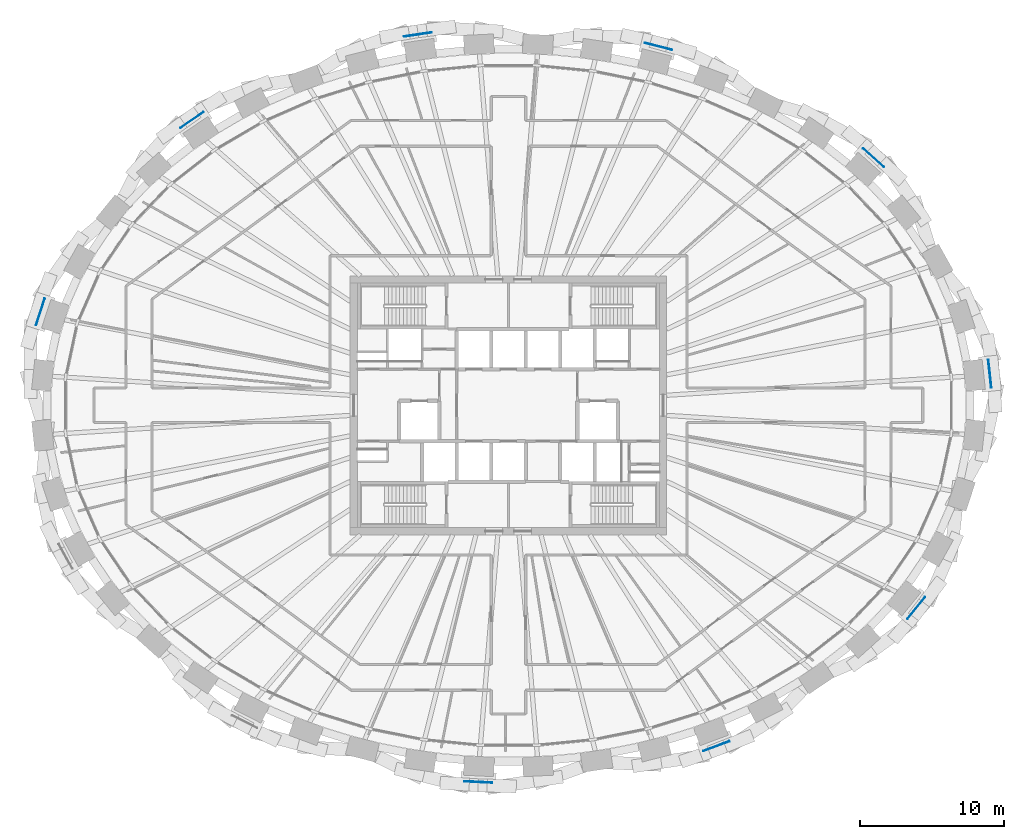
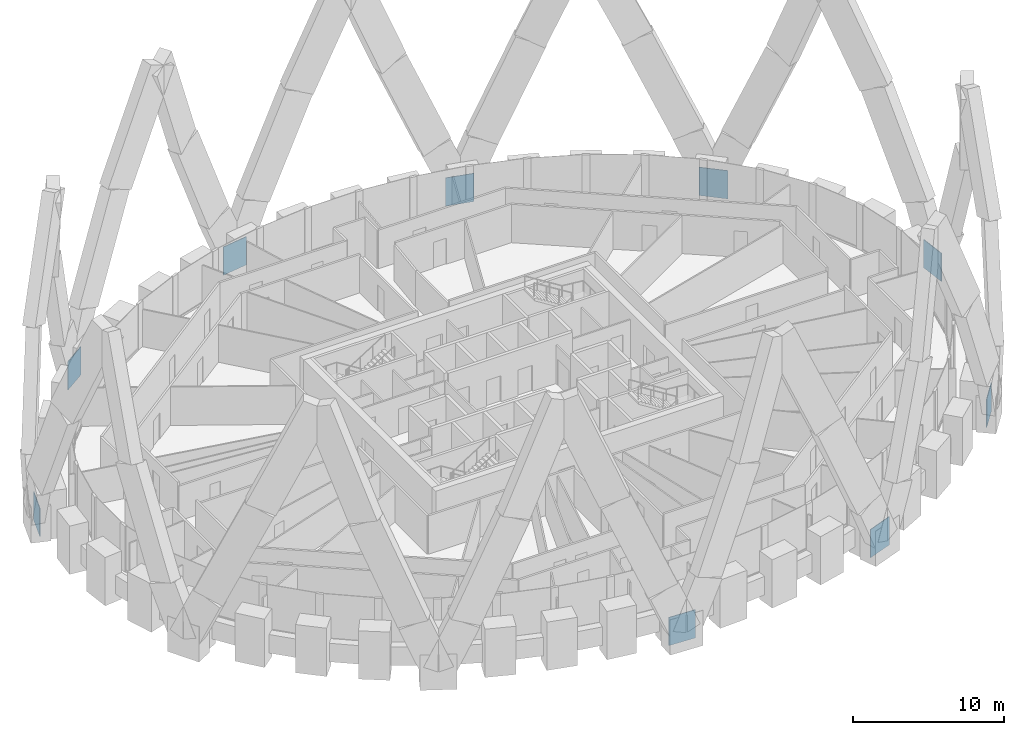
# One storey, part 14 of 15: 9 discrete accessories.
"""IFC4 building model written with IfcOpenShell, lengths in metres."""

from ifc_helpers import new_model, si_unit, direction, frame, origin, origin_2d, place, context, subcontext, project, spatial, rectangle, extrude, source, transform, mapped, material, type_object, element, save


model = new_model("IFC4")

# Units and contexts
model_context = context("Model", 3, precision=1e-05, world=origin(), true_north=direction((0.0, 1.0)))
body_context = subcontext(model_context, "Body", "Model", "MODEL_VIEW")
ifc_project = project(units=[si_unit("LENGTHUNIT", "METRE"), si_unit("AREAUNIT", "SQUARE_METRE"), si_unit("VOLUMEUNIT", "CUBIC_METRE"), si_unit("PLANEANGLEUNIT", "RADIAN"), si_unit("MASSUNIT", "GRAM", prefix="KILO")], contexts=[model_context])

# Site, building, storey
site_placement = place(None, origin())
site = spatial("IfcSite", under=ifc_project, at=site_placement, CompositionType="ELEMENT")
building_placement = place(site_placement, origin())
building = spatial("IfcBuilding", under=site, at=building_placement, Name="Embergate Tower", CompositionType="ELEMENT")
storey_placement = place(building_placement, frame((0.0, 0.0, 277.300048828125)))
storey = spatial("IfcBuildingStorey", under=building, at=storey_placement, Name="L64", CompositionType="ELEMENT", Elevation=277.300048828125)

# Discrete accessories
ifc_material = material(Name="Steel Q355D plate", Category="steel")
discrete_accessory_type = type_object("IfcDiscreteAccessoryType", Name="Lattice node plate", PredefinedType="USERDEFINED", material=ifc_material)
shared_shape = source(origin(), body_context, "Body", "SweptSolid", [
    extrude(rectangle(XDim=1.9599609375, YDim=0.050048828125, at=origin_2d()), origin(), (0.0, 0.0, 1.0), 2.280029296875),
])
for number, where, z_axis, x_axis, name in (
    (1, (33.4541015625, 2.201904296875, -1.14013671875), (0.0, 0.0, 1.0), (-0.106749983816, 0.99428589498, 0.0), "Node plate"),
    (2, (25.365966796875, 17.2041015625, -1.14013671875), (0.0, 0.0, 1.0), (-0.74307475021, 0.669208424634, 0.0), "Node plate"),
    (3, (10.419921875, 24.943115234375, -1.14013671875), (0.0, 0.0, 1.0), (-0.969144926951, 0.246491603437, 0.0), "Node plate"),
    (4, (-6.2900390625, 25.77099609375, -1.14013671875), (0.0, 0.0, 1.0), (-0.989147039346, -0.146929011949, 0.0), "Node plate"),
    (5, (-21.9951171875, 19.8349609375, -1.14013671875), (0.0, 0.0, 1.0), (-0.828226643109, -0.560393279442, 0.0), "Node plate"),
    (6, (-32.530029296875, 6.5, -1.14013671875), (0.0, 0.0, 1.0), (-0.309946394413, -0.950754033697, 0.0), "Node plate"),
    (7, (-2.10302734375, -26.18310546875, -1.14013671875), (0.0, 0.0, 1.0), (0.998807841912, -0.048814904854, 0.0), "Node plate"),
    (8, (14.449951171875, -23.68701171875, -1.14013671875), (0.0, 0.0, 1.0), (0.93736713373, 0.348343015724, 0.0), "Node plate"),
    (9, (28.3359375, -14.089111328125, -1.14013671875), (0.0, 0.0, 1.0), (0.630838328377, 0.775914301615, 0.0), "Node plate"),
):
    element("IfcDiscreteAccessory", number, at=place(storey_placement, frame(where, z_axis=z_axis, x_axis=x_axis)), inside=storey, type_object=discrete_accessory_type, Name=name, ObjectType="BRACKET", PredefinedType="USERDEFINED", context=body_context, shape_type="MappedRepresentation", body=[
        mapped(shared_shape, transform((0.0, 0.0, 0.0))),
    ])

save(model, "model.ifc")
